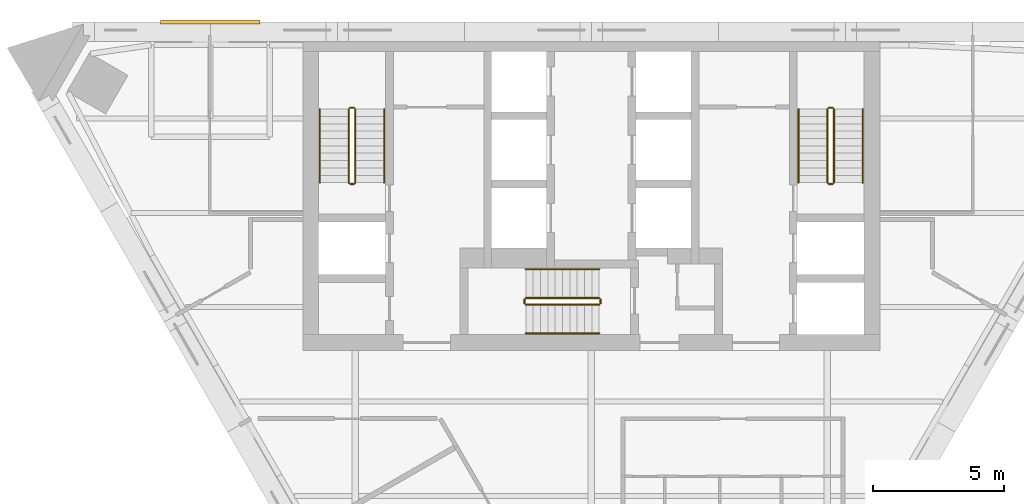
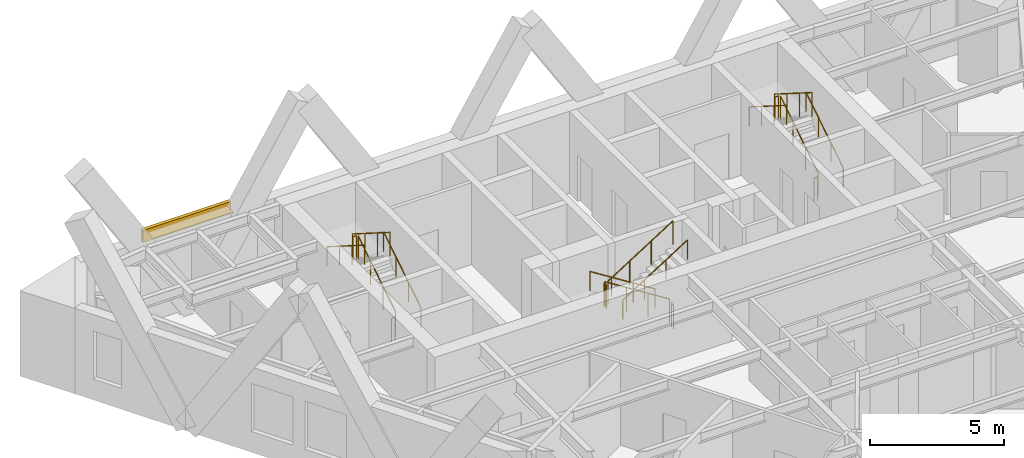
# One storey, part 7 of 7: 18 railings, 1 covering.
"""IFC4 building model written with IfcOpenShell, lengths in metres."""

from ifc_helpers import new_model, si_unit, direction, frame, origin, origin_2d, place, context, subcontext, project, spatial, polyline, circle, outline, extrude, material, layer, layer_set, type_object, element, save


model = new_model("IFC4")

# Units and contexts
model_context = context("Model", 3, precision=1e-05, world=origin(), true_north=direction((0.0, 1.0)))
body_context = subcontext(model_context, "Body", "Model", "MODEL_VIEW")
ifc_project = project(units=[si_unit("LENGTHUNIT", "METRE"), si_unit("AREAUNIT", "SQUARE_METRE"), si_unit("VOLUMEUNIT", "CUBIC_METRE"), si_unit("PLANEANGLEUNIT", "RADIAN"), si_unit("MASSUNIT", "GRAM", prefix="KILO")], contexts=[model_context])

# Site, building, storey
site_placement = place(None, origin())
site = spatial("IfcSite", under=ifc_project, at=site_placement, CompositionType="ELEMENT")
building_placement = place(site_placement, origin())
building = spatial("IfcBuilding", under=site, at=building_placement, Name="Aloe Facet Convention Tower", CompositionType="ELEMENT")
storey_placement = place(building_placement, frame((0.0, 0.0, 188.0)))
storey = spatial("IfcBuildingStorey", under=building, at=storey_placement, Name="L47", CompositionType="ELEMENT", Elevation=188.0)

# Railings
ifc_material_1 = material(Name="Steel S355 balustrade", Category="steel")
railing_type_1 = type_object("IfcRailingType", Name="CR-RL-GUARD", PredefinedType="GUARDRAIL", material=ifc_material_1)
railing_1_placement = place(storey_placement, frame((71.0, 128.949951171875, 0.17724609375)))
element("IfcRailing", 1, at=railing_1_placement, inside=storey, type_object=railing_type_1, Name="L47 ST1 stair guard 1", PredefinedType="GUARDRAIL", context=body_context, shape_type="SweptSolid", body=[
    extrude(circle(Radius=0.02392578125, at=origin_2d()), frame((0.0, 0.0, 1.076171875), z_axis=(0.0, 0.844908973607, 0.534910110503), x_axis=(-1.0, 0.0, 0.0)), (0.0, 0.0, 1.0), 3.31396484375),
    extrude(circle(Radius=0.02099609375, at=origin_2d()), origin(), (0.0, 0.0, 1.0), 1.052001953125),
    extrude(circle(Radius=0.02099609375, at=origin_2d()), frame((0.0, 0.933349609375, 0.5908203125)), (0.0, 0.0, 1.0), 1.052001953125),
    extrude(circle(Radius=0.02099609375, at=origin_2d()), frame((0.0, 1.86669921875, 1.181884765625)), (0.0, 0.0, 1.0), 1.052001953125),
    extrude(circle(Radius=0.02099609375, at=origin_2d()), frame((0.0, 2.800048828125, 1.772705078125)), (0.0, 0.0, 1.0), 1.052001953125),
])
railing_2_placement = place(storey_placement, frame((70.949951171875, 131.800048828125, 1.949951171875)))
element("IfcRailing", 2, at=railing_2_placement, inside=storey, type_object=railing_type_1, Name="L47 ST1 stair guard 2", PredefinedType="GUARDRAIL", context=body_context, shape_type="SweptSolid", body=[
    extrude(circle(Radius=0.02392578125, at=origin_2d()), frame((0.0, 0.0, 1.076171875), z_axis=(-1.0, 0.0, 0.0), x_axis=(0.0, -1.0, 0.0)), (0.0, 0.0, 1.0), 0.14990234375),
    extrude(circle(Radius=0.02099609375, at=origin_2d()), origin(), (0.0, 0.0, 1.0), 1.052001953125),
    extrude(circle(Radius=0.02099609375, at=origin_2d()), frame((-0.14990234375, 0.0, 0.0)), (0.0, 0.0, 1.0), 1.052001953125),
])
railing_3_placement = place(storey_placement, frame((70.75, 131.75, 2.127197265625)))
element("IfcRailing", 3, at=railing_3_placement, inside=storey, type_object=railing_type_1, Name="L47 ST1 stair guard 3", PredefinedType="GUARDRAIL", context=body_context, shape_type="SweptSolid", body=[
    extrude(circle(Radius=0.02392578125, at=origin_2d()), frame((0.0, 0.0, 1.076171875), z_axis=(0.0, -0.844908973607, 0.534910110503), x_axis=(1.0, 0.0, 0.0)), (0.0, 0.0, 1.0), 3.31396484375),
    extrude(circle(Radius=0.02099609375, at=origin_2d()), origin(), (0.0, 0.0, 1.0), 1.052001953125),
    extrude(circle(Radius=0.02099609375, at=origin_2d()), frame((0.0, -0.933349609375, 0.5908203125)), (0.0, 0.0, 1.0), 1.052001953125),
    extrude(circle(Radius=0.02099609375, at=origin_2d()), frame((0.0, -1.86669921875, 1.181884765625)), (0.0, 0.0, 1.0), 1.052001953125),
    extrude(circle(Radius=0.02099609375, at=origin_2d()), frame((0.0, -2.800048828125, 1.772705078125)), (0.0, 0.0, 1.0), 1.052001953125),
])
railing_4_placement = place(storey_placement, frame((70.949951171875, 128.89990234375, 0.0)))
element("IfcRailing", 4, at=railing_4_placement, inside=storey, type_object=railing_type_1, Name="L47 ST1 stair guard 4", PredefinedType="GUARDRAIL", context=body_context, shape_type="SweptSolid", body=[
    extrude(circle(Radius=0.02392578125, at=origin_2d()), frame((0.0, 0.0, 1.076171875), z_axis=(-1.0, 0.0, 0.0), x_axis=(0.0, -1.0, 0.0)), (0.0, 0.0, 1.0), 0.14990234375),
    extrude(circle(Radius=0.02099609375, at=origin_2d()), origin(), (0.0, 0.0, 1.0), 1.052001953125),
    extrude(circle(Radius=0.02099609375, at=origin_2d()), frame((-0.14990234375, 0.0, 0.0)), (0.0, 0.0, 1.0), 1.052001953125),
])
railing_5_placement = place(storey_placement, frame((89.25, 128.949951171875, 0.17724609375)))
element("IfcRailing", 5, at=railing_5_placement, inside=storey, type_object=railing_type_1, Name="L47 ST2 stair guard 1", PredefinedType="GUARDRAIL", context=body_context, shape_type="SweptSolid", body=[
    extrude(circle(Radius=0.02392578125, at=origin_2d()), frame((0.0, 0.0, 1.076171875), z_axis=(0.0, 0.844908973607, 0.534910110503), x_axis=(-1.0, 0.0, 0.0)), (0.0, 0.0, 1.0), 3.31396484375),
    extrude(circle(Radius=0.02099609375, at=origin_2d()), origin(), (0.0, 0.0, 1.0), 1.052001953125),
    extrude(circle(Radius=0.02099609375, at=origin_2d()), frame((0.0, 0.933349609375, 0.5908203125)), (0.0, 0.0, 1.0), 1.052001953125),
    extrude(circle(Radius=0.02099609375, at=origin_2d()), frame((0.0, 1.86669921875, 1.181884765625)), (0.0, 0.0, 1.0), 1.052001953125),
    extrude(circle(Radius=0.02099609375, at=origin_2d()), frame((0.0, 2.800048828125, 1.772705078125)), (0.0, 0.0, 1.0), 1.052001953125),
])
railing_6_placement = place(storey_placement, frame((89.199951171875, 131.800048828125, 1.949951171875)))
element("IfcRailing", 6, at=railing_6_placement, inside=storey, type_object=railing_type_1, Name="L47 ST2 stair guard 2", PredefinedType="GUARDRAIL", context=body_context, shape_type="SweptSolid", body=[
    extrude(circle(Radius=0.02392578125, at=origin_2d()), frame((0.0, 0.0, 1.076171875), z_axis=(-1.0, 0.0, 0.0), x_axis=(0.0, -1.0, 0.0)), (0.0, 0.0, 1.0), 0.14990234375),
    extrude(circle(Radius=0.02099609375, at=origin_2d()), origin(), (0.0, 0.0, 1.0), 1.052001953125),
    extrude(circle(Radius=0.02099609375, at=origin_2d()), frame((-0.14990234375, 0.0, 0.0)), (0.0, 0.0, 1.0), 1.052001953125),
])
railing_7_placement = place(storey_placement, frame((89.0, 131.75, 2.127197265625)))
element("IfcRailing", 7, at=railing_7_placement, inside=storey, type_object=railing_type_1, Name="L47 ST2 stair guard 3", PredefinedType="GUARDRAIL", context=body_context, shape_type="SweptSolid", body=[
    extrude(circle(Radius=0.02392578125, at=origin_2d()), frame((0.0, 0.0, 1.076171875), z_axis=(0.0, -0.844908973607, 0.534910110503), x_axis=(1.0, 0.0, 0.0)), (0.0, 0.0, 1.0), 3.31396484375),
    extrude(circle(Radius=0.02099609375, at=origin_2d()), origin(), (0.0, 0.0, 1.0), 1.052001953125),
    extrude(circle(Radius=0.02099609375, at=origin_2d()), frame((0.0, -0.933349609375, 0.5908203125)), (0.0, 0.0, 1.0), 1.052001953125),
    extrude(circle(Radius=0.02099609375, at=origin_2d()), frame((0.0, -1.86669921875, 1.181884765625)), (0.0, 0.0, 1.0), 1.052001953125),
    extrude(circle(Radius=0.02099609375, at=origin_2d()), frame((0.0, -2.800048828125, 1.772705078125)), (0.0, 0.0, 1.0), 1.052001953125),
])
railing_8_placement = place(storey_placement, frame((89.199951171875, 128.89990234375, 0.0)))
element("IfcRailing", 8, at=railing_8_placement, inside=storey, type_object=railing_type_1, Name="L47 ST2 stair guard 4", PredefinedType="GUARDRAIL", context=body_context, shape_type="SweptSolid", body=[
    extrude(circle(Radius=0.02392578125, at=origin_2d()), frame((0.0, 0.0, 1.076171875), z_axis=(-1.0, 0.0, 0.0), x_axis=(0.0, -1.0, 0.0)), (0.0, 0.0, 1.0), 0.14990234375),
    extrude(circle(Radius=0.02099609375, at=origin_2d()), origin(), (0.0, 0.0, 1.0), 1.052001953125),
    extrude(circle(Radius=0.02099609375, at=origin_2d()), frame((-0.14990234375, 0.0, 0.0)), (0.0, 0.0, 1.0), 1.052001953125),
])
railing_9_placement = place(storey_placement, frame((80.300048828125, 124.550048828125, 0.17724609375)))
element("IfcRailing", 9, at=railing_9_placement, inside=storey, type_object=railing_type_1, Name="L47 ST3 stair guard 1", PredefinedType="GUARDRAIL", context=body_context, shape_type="SweptSolid", body=[
    extrude(circle(Radius=0.02392578125, at=origin_2d()), frame((0.0, 0.0, 1.076171875), z_axis=(-0.844908973607, 0.0, 0.534910110503), x_axis=(0.0, -1.0, 0.0)), (0.0, 0.0, 1.0), 3.31396484375),
    extrude(circle(Radius=0.02099609375, at=origin_2d()), origin(), (0.0, 0.0, 1.0), 1.052001953125),
    extrude(circle(Radius=0.02099609375, at=origin_2d()), frame((-0.933349609375, 0.0, 0.5908203125)), (0.0, 0.0, 1.0), 1.052001953125),
    extrude(circle(Radius=0.02099609375, at=origin_2d()), frame((-1.86669921875, 0.0, 1.181884765625)), (0.0, 0.0, 1.0), 1.052001953125),
    extrude(circle(Radius=0.02099609375, at=origin_2d()), frame((-2.800048828125, 0.0, 1.772705078125)), (0.0, 0.0, 1.0), 1.052001953125),
])
railing_10_placement = place(storey_placement, frame((77.449951171875, 124.5, 1.949951171875)))
element("IfcRailing", 10, at=railing_10_placement, inside=storey, type_object=railing_type_1, Name="L47 ST3 stair guard 2", PredefinedType="GUARDRAIL", context=body_context, shape_type="SweptSolid", body=[
    extrude(circle(Radius=0.02392578125, at=origin_2d()), frame((0.0, 0.0, 1.076171875), z_axis=(0.0, -1.0, 0.0), x_axis=(1.0, 0.0, 0.0)), (0.0, 0.0, 1.0), 0.14990234375),
    extrude(circle(Radius=0.02099609375, at=origin_2d()), origin(), (0.0, 0.0, 1.0), 1.052001953125),
    extrude(circle(Radius=0.02099609375, at=origin_2d()), frame((0.0, -0.14990234375, 0.0)), (0.0, 0.0, 1.0), 1.052001953125),
])
railing_11_placement = place(storey_placement, frame((77.5, 124.300048828125, 2.127197265625)))
element("IfcRailing", 11, at=railing_11_placement, inside=storey, type_object=railing_type_1, Name="L47 ST3 stair guard 3", PredefinedType="GUARDRAIL", context=body_context, shape_type="SweptSolid", body=[
    extrude(circle(Radius=0.02392578125, at=origin_2d()), frame((0.0, 0.0, 1.076171875), z_axis=(0.844908973607, 0.0, 0.534910110503), x_axis=(0.0, 1.0, 0.0)), (0.0, 0.0, 1.0), 3.31396484375),
    extrude(circle(Radius=0.02099609375, at=origin_2d()), origin(), (0.0, 0.0, 1.0), 1.052001953125),
    extrude(circle(Radius=0.02099609375, at=origin_2d()), frame((0.933349609375, 0.0, 0.5908203125)), (0.0, 0.0, 1.0), 1.052001953125),
    extrude(circle(Radius=0.02099609375, at=origin_2d()), frame((1.86669921875, 0.0, 1.181884765625)), (0.0, 0.0, 1.0), 1.052001953125),
    extrude(circle(Radius=0.02099609375, at=origin_2d()), frame((2.800048828125, 0.0, 1.772705078125)), (0.0, 0.0, 1.0), 1.052001953125),
])
railing_12_placement = place(storey_placement, frame((80.35009765625, 124.5, 0.0)))
element("IfcRailing", 12, at=railing_12_placement, inside=storey, type_object=railing_type_1, Name="L47 ST3 stair guard 4", PredefinedType="GUARDRAIL", context=body_context, shape_type="SweptSolid", body=[
    extrude(circle(Radius=0.02392578125, at=origin_2d()), frame((0.0, 0.0, 1.076171875), z_axis=(0.0, -1.0, 0.0), x_axis=(1.0, 0.0, 0.0)), (0.0, 0.0, 1.0), 0.14990234375),
    extrude(circle(Radius=0.02099609375, at=origin_2d()), origin(), (0.0, 0.0, 1.0), 1.052001953125),
    extrude(circle(Radius=0.02099609375, at=origin_2d()), frame((0.0, -0.14990234375, 0.0)), (0.0, 0.0, 1.0), 1.052001953125),
])
ifc_material_2 = material(Name="Steel S355 handrail", Category="steel")
railing_type_2 = type_object("IfcRailingType", Name="CR-RL-HAND", PredefinedType="HANDRAIL", material=ifc_material_2)
railing_13_placement = place(storey_placement, frame((72.10009765625, 128.949951171875, 0.17724609375)))
element("IfcRailing", 13, at=railing_13_placement, inside=storey, type_object=railing_type_2, Name="L47 ST1 stair handrail 1", PredefinedType="HANDRAIL", context=body_context, shape_type="SweptSolid", body=[
    extrude(circle(Radius=0.02392578125, at=origin_2d()), frame((0.0, 0.0, 0.8759765625), z_axis=(0.0, 0.844908973607, 0.534910110503), x_axis=(-1.0, 0.0, 0.0)), (0.0, 0.0, 1.0), 3.31396484375),
    extrude(circle(Radius=0.02099609375, at=origin_2d()), origin(), (0.0, 0.0, 1.0), 0.851806640625),
    extrude(circle(Radius=0.02099609375, at=origin_2d()), frame((0.0, 0.933349609375, 0.5908203125)), (0.0, 0.0, 1.0), 0.851806640625),
    extrude(circle(Radius=0.02099609375, at=origin_2d()), frame((0.0, 1.86669921875, 1.181884765625)), (0.0, 0.0, 1.0), 0.851806640625),
    extrude(circle(Radius=0.02099609375, at=origin_2d()), frame((0.0, 2.800048828125, 1.772705078125)), (0.0, 0.0, 1.0), 0.851806640625),
])
railing_14_placement = place(storey_placement, frame((69.64990234375, 131.75, 2.127197265625)))
element("IfcRailing", 14, at=railing_14_placement, inside=storey, type_object=railing_type_2, Name="L47 ST1 stair handrail 2", PredefinedType="HANDRAIL", context=body_context, shape_type="SweptSolid", body=[
    extrude(circle(Radius=0.02392578125, at=origin_2d()), frame((0.0, 0.0, 0.8759765625), z_axis=(0.0, -0.844908973607, 0.534910110503), x_axis=(1.0, 0.0, 0.0)), (0.0, 0.0, 1.0), 3.31396484375),
    extrude(circle(Radius=0.02099609375, at=origin_2d()), origin(), (0.0, 0.0, 1.0), 0.851806640625),
    extrude(circle(Radius=0.02099609375, at=origin_2d()), frame((0.0, -0.933349609375, 0.5908203125)), (0.0, 0.0, 1.0), 0.851806640625),
    extrude(circle(Radius=0.02099609375, at=origin_2d()), frame((0.0, -1.86669921875, 1.181884765625)), (0.0, 0.0, 1.0), 0.851806640625),
    extrude(circle(Radius=0.02099609375, at=origin_2d()), frame((0.0, -2.800048828125, 1.772705078125)), (0.0, 0.0, 1.0), 0.851806640625),
])
railing_15_placement = place(storey_placement, frame((90.35009765625, 128.949951171875, 0.17724609375)))
element("IfcRailing", 15, at=railing_15_placement, inside=storey, type_object=railing_type_2, Name="L47 ST2 stair handrail 1", PredefinedType="HANDRAIL", context=body_context, shape_type="SweptSolid", body=[
    extrude(circle(Radius=0.02392578125, at=origin_2d()), frame((0.0, 0.0, 0.8759765625), z_axis=(0.0, 0.844908973607, 0.534910110503), x_axis=(-1.0, 0.0, 0.0)), (0.0, 0.0, 1.0), 3.31396484375),
    extrude(circle(Radius=0.02099609375, at=origin_2d()), origin(), (0.0, 0.0, 1.0), 0.851806640625),
    extrude(circle(Radius=0.02099609375, at=origin_2d()), frame((0.0, 0.933349609375, 0.5908203125)), (0.0, 0.0, 1.0), 0.851806640625),
    extrude(circle(Radius=0.02099609375, at=origin_2d()), frame((0.0, 1.86669921875, 1.181884765625)), (0.0, 0.0, 1.0), 0.851806640625),
    extrude(circle(Radius=0.02099609375, at=origin_2d()), frame((0.0, 2.800048828125, 1.772705078125)), (0.0, 0.0, 1.0), 0.851806640625),
])
railing_16_placement = place(storey_placement, frame((87.89990234375, 131.75, 2.127197265625)))
element("IfcRailing", 16, at=railing_16_placement, inside=storey, type_object=railing_type_2, Name="L47 ST2 stair handrail 2", PredefinedType="HANDRAIL", context=body_context, shape_type="SweptSolid", body=[
    extrude(circle(Radius=0.02392578125, at=origin_2d()), frame((0.0, 0.0, 0.8759765625), z_axis=(0.0, -0.844908973607, 0.534910110503), x_axis=(1.0, 0.0, 0.0)), (0.0, 0.0, 1.0), 3.31396484375),
    extrude(circle(Radius=0.02099609375, at=origin_2d()), origin(), (0.0, 0.0, 1.0), 0.851806640625),
    extrude(circle(Radius=0.02099609375, at=origin_2d()), frame((0.0, -0.933349609375, 0.5908203125)), (0.0, 0.0, 1.0), 0.851806640625),
    extrude(circle(Radius=0.02099609375, at=origin_2d()), frame((0.0, -1.86669921875, 1.181884765625)), (0.0, 0.0, 1.0), 0.851806640625),
    extrude(circle(Radius=0.02099609375, at=origin_2d()), frame((0.0, -2.800048828125, 1.772705078125)), (0.0, 0.0, 1.0), 0.851806640625),
])
railing_17_placement = place(storey_placement, frame((80.300048828125, 125.64990234375, 0.17724609375)))
element("IfcRailing", 17, at=railing_17_placement, inside=storey, type_object=railing_type_2, Name="L47 ST3 stair handrail 1", PredefinedType="HANDRAIL", context=body_context, shape_type="SweptSolid", body=[
    extrude(circle(Radius=0.02392578125, at=origin_2d()), frame((0.0, 0.0, 0.8759765625), z_axis=(-0.844908973607, 0.0, 0.534910110503), x_axis=(0.0, -1.0, 0.0)), (0.0, 0.0, 1.0), 3.31396484375),
    extrude(circle(Radius=0.02099609375, at=origin_2d()), origin(), (0.0, 0.0, 1.0), 0.851806640625),
    extrude(circle(Radius=0.02099609375, at=origin_2d()), frame((-0.933349609375, 0.0, 0.5908203125)), (0.0, 0.0, 1.0), 0.851806640625),
    extrude(circle(Radius=0.02099609375, at=origin_2d()), frame((-1.86669921875, 0.0, 1.181884765625)), (0.0, 0.0, 1.0), 0.851806640625),
    extrude(circle(Radius=0.02099609375, at=origin_2d()), frame((-2.800048828125, 0.0, 1.772705078125)), (0.0, 0.0, 1.0), 0.851806640625),
])
railing_18_placement = place(storey_placement, frame((77.5, 123.199951171875, 2.127197265625)))
element("IfcRailing", 18, at=railing_18_placement, inside=storey, type_object=railing_type_2, Name="L47 ST3 stair handrail 2", PredefinedType="HANDRAIL", context=body_context, shape_type="SweptSolid", body=[
    extrude(circle(Radius=0.02392578125, at=origin_2d()), frame((0.0, 0.0, 0.8759765625), z_axis=(0.844908973607, 0.0, 0.534910110503), x_axis=(0.0, 1.0, 0.0)), (0.0, 0.0, 1.0), 3.31396484375),
    extrude(circle(Radius=0.02099609375, at=origin_2d()), origin(), (0.0, 0.0, 1.0), 0.851806640625),
    extrude(circle(Radius=0.02099609375, at=origin_2d()), frame((0.933349609375, 0.0, 0.5908203125)), (0.0, 0.0, 1.0), 0.851806640625),
    extrude(circle(Radius=0.02099609375, at=origin_2d()), frame((1.86669921875, 0.0, 1.181884765625)), (0.0, 0.0, 1.0), 0.851806640625),
    extrude(circle(Radius=0.02099609375, at=origin_2d()), frame((2.800048828125, 0.0, 1.772705078125)), (0.0, 0.0, 1.0), 0.851806640625),
])

# Covering
ifc_material_3 = material(Name="Bronze oxide fascia sheet")
ifc_layer = layer(ifc_material_3, 0.14990234375)
ifc_layer_set = layer_set([ifc_layer], Name="EV-FASCIA-TERR")
covering_type = type_object("IfcCoveringType", Name="EV-FASCIA-TERR", PredefinedType="CLADDING", material=ifc_layer_set)
covering_placement = place(storey_placement, frame((0.0, 0.0, 3.35009765625)))
element("IfcCovering", 19, at=covering_placement, inside=storey, type_object=covering_type, Name="Terrace fascia T10 sill", PredefinedType="CLADDING", context=body_context, shape_type="SweptSolid", body=[
    extrude(outline(polyline([(67.37646484375, 135.14990234375), (63.576416015625, 135.14990234375), (63.576416015625, 135.0), (67.37646484375, 135.0), (67.37646484375, 135.14990234375)])), origin(), (0.0, 0.0, 1.0), 0.5498046875),
])

save(model, "model.ifc")
